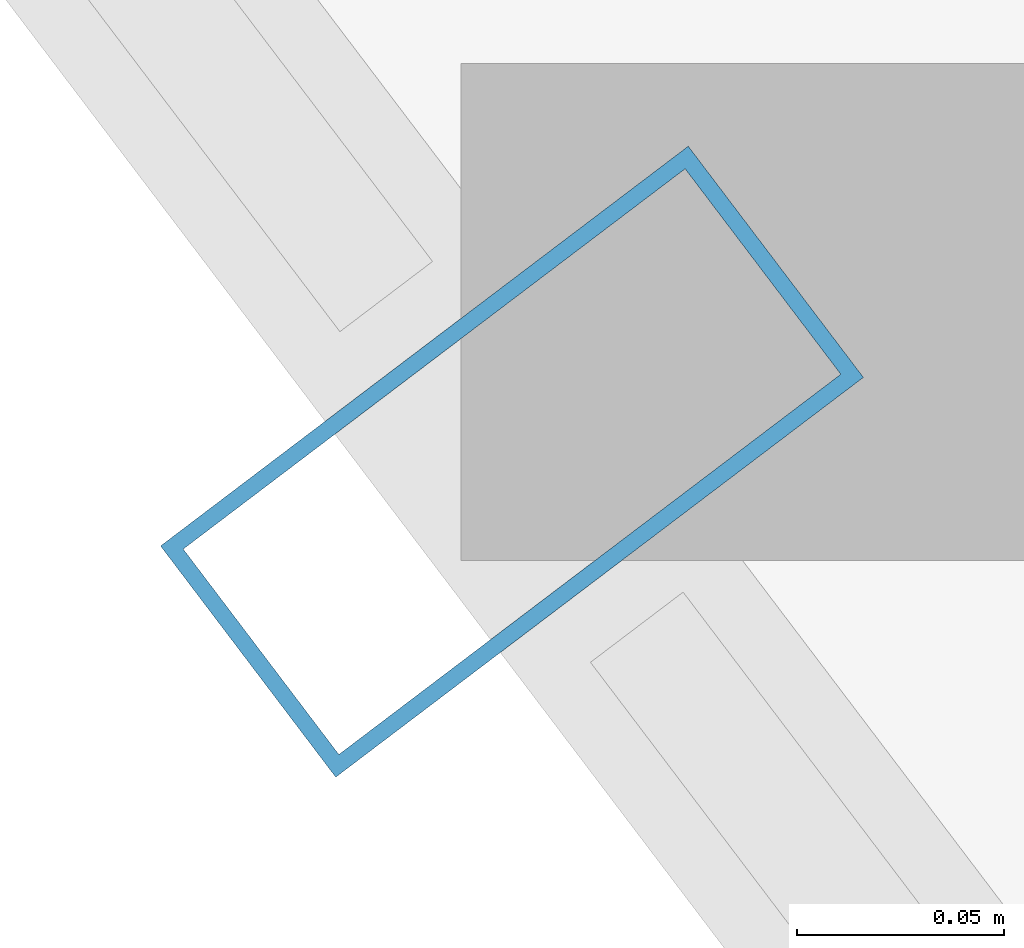
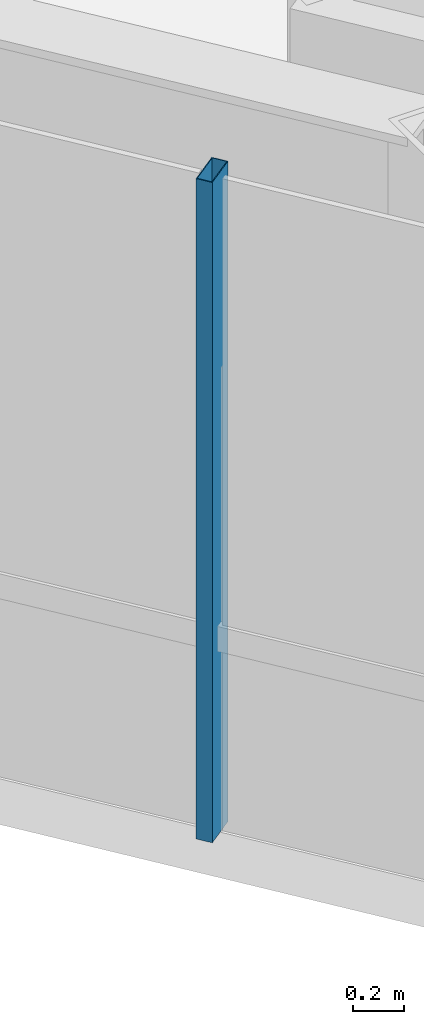
# One storey, part 5 of 28: 1 member, 1 element without a shape of its own.
"""IFC4 building model written with IfcOpenShell, lengths in metres."""

import ifcopenshell
import ifcopenshell.guid

model = None  # the IFC model being written
_history = None  # IfcOwnerHistory: only IFC2X3 demands one
_inside = {}  # id of a spatial element -> (the spatial element, [elements in it])
_under = {}  # id of a project, library or spatial element -> (it, [spatial elements below it])
_declared = {}  # id of a project -> (the project, [libraries it declares])
_typed = {}  # id of a type object -> (the type object, [elements of that type])
_made_of = {}  # id of a material, layer set ... -> (it, [elements and type objects made of it])


def new_model(schema):
    """Start an empty IFC model of exactly this schema.

    Asked for "IFC4X3", IfcOpenShell would pick the latest addendum, in which some entities
    have other attributes; the version numbers below select the first issue.
    IFC2X3 requires an IfcOwnerHistory on every rooted entity: one is made here for all.
    """
    global model, _history
    if schema == "IFC4X3":
        model = ifcopenshell.file(schema_version=(4, 3, 0, 0))
    else:
        model = ifcopenshell.file(schema=schema)
    _inside.clear()
    _under.clear()
    _declared.clear()
    _typed.clear()
    _made_of.clear()
    _history = None
    if model.schema == "IFC2X3":
        org = make("IfcOrganization", Name="unknown")
        user = make(
            "IfcPersonAndOrganization",
            ThePerson=make("IfcPerson", FamilyName="unknown"),
            TheOrganization=org,
        )
        app = make(
            "IfcApplication",
            ApplicationDeveloper=org,
            Version="unknown",
            ApplicationFullName="unknown",
            ApplicationIdentifier="unknown",
        )
        _history = make(
            "IfcOwnerHistory",
            OwningUser=user,
            OwningApplication=app,
            ChangeAction="ADDED",
            CreationDate=0,
        )
    return model


def make(cls, **values):
    """One entity of the class cls with the attributes given. An attribute that is None is left unset."""
    return model.create_entity(
        cls, **{name: value for name, value in values.items() if value is not None}
    )


def rooted(cls, **values):
    """An entity with a GlobalId (a new one), such as an element, a storey or a relation."""
    return make(cls, GlobalId=ifcopenshell.guid.new(), OwnerHistory=_history, **values)


def si_unit(unit_type, name, prefix=None):
    """IfcSIUnit, for example si_unit("LENGTHUNIT", "METRE", prefix="MILLI")."""
    return make("IfcSIUnit", UnitType=unit_type, Prefix=prefix, Name=name)


def assignment(units):
    """IfcUnitAssignment: the units of a project."""
    return None if units is None else make("IfcUnitAssignment", Units=units)


def point(xyz):
    """IfcCartesianPoint."""
    return None if xyz is None else make("IfcCartesianPoint", Coordinates=xyz)


def direction(xyz):
    """IfcDirection."""
    return None if xyz is None else make("IfcDirection", DirectionRatios=xyz)


def frame(location, z_axis=None, x_axis=None):
    """IfcAxis2Placement3D, a coordinate frame: its origin and axes. An axis left out is left unset."""
    return make(
        "IfcAxis2Placement3D",
        Location=point(location),
        Axis=direction(z_axis),
        RefDirection=direction(x_axis),
    )


def frame_2d(location, x_axis=None):
    """IfcAxis2Placement2D, a coordinate frame in the plane: its origin and x axis."""
    return make(
        "IfcAxis2Placement2D", Location=point(location), RefDirection=direction(x_axis)
    )


def origin():
    """The frame at (0, 0, 0) with its axes left unset."""
    return frame((0.0, 0.0, 0.0))


def origin_2d():
    """The frame at (0, 0) in the plane with its x axis left unset."""
    return frame_2d((0.0, 0.0))


def place(relative_to, where):
    """IfcLocalPlacement: puts the frame where relative to a parent placement (None: the world)."""
    return make(
        "IfcLocalPlacement", PlacementRelTo=relative_to, RelativePlacement=where
    )


def context(
    kind, dimensions, precision=None, world=None, true_north=None, identifier=None
):
    """IfcGeometricRepresentationContext, for example the 3D "Model" context."""
    return make(
        "IfcGeometricRepresentationContext",
        ContextIdentifier=identifier,
        ContextType=kind,
        CoordinateSpaceDimension=dimensions,
        Precision=precision,
        WorldCoordinateSystem=world,
        TrueNorth=true_north,
    )


def subcontext(parent, identifier, kind, view, scale=None):
    """IfcGeometricRepresentationSubContext, for example "Body" below "Model"."""
    return make(
        "IfcGeometricRepresentationSubContext",
        ContextIdentifier=identifier,
        ContextType=kind,
        ParentContext=parent,
        TargetScale=scale,
        TargetView=view,
    )


def project(units=None, contexts=None):
    """IfcProject with its units and contexts."""
    return rooted(
        "IfcProject",
        Name="project",
        RepresentationContexts=contexts,
        UnitsInContext=assignment(units),
    )


def spatial(cls, under=None, at=None, **own):
    """A site, building, storey or space (cls), placed at a placement, below another one or the project."""
    s = rooted(cls, ObjectPlacement=at, **own)
    if under is not None:
        _under.setdefault(under.id(), (under, []))[1].append(s)
    return s


def profile(cls, at=None, kind="AREA", **sizes):
    """A parametric profile (cls). Its sizes go by their IFC names, for example OverallWidth=200.0."""
    return make(cls, ProfileType=kind, Position=at, **sizes)


def hollow_rectangle(**sizes):
    """IfcRectangleHollowProfileDef."""
    return profile("IfcRectangleHollowProfileDef", **sizes)


def extrude(swept, where, along, depth):
    """IfcExtrudedAreaSolid: the profile swept, set in the frame where, extruded along a direction by depth."""
    return make(
        "IfcExtrudedAreaSolid",
        SweptArea=swept,
        Position=where,
        ExtrudedDirection=direction(along),
        Depth=depth,
    )


def shape(context_of_items, identifier, shape_type, items):
    """IfcShapeRepresentation: the items that make up one representation, for example the "Body"."""
    return make(
        "IfcShapeRepresentation",
        ContextOfItems=context_of_items,
        RepresentationIdentifier=identifier,
        RepresentationType=shape_type,
        Items=items,
    )


def material(Name=None, Category=None):
    """IfcMaterial."""
    return make("IfcMaterial", Name=Name, Category=Category)


def layer(
    of_material, thickness, ventilated=None, Name=None, Category=None, Priority=None
):
    """IfcMaterialLayer: one layer of a wall or slab, of a material (None: an air gap)."""
    return make(
        "IfcMaterialLayer",
        Material=of_material,
        LayerThickness=thickness,
        IsVentilated=ventilated,
        Name=Name,
        Category=Category,
        Priority=Priority,
    )


def layer_set(layers, Name=None):
    """IfcMaterialLayerSet."""
    return make("IfcMaterialLayerSet", MaterialLayers=layers, LayerSetName=Name)


def material_profile(
    of_material, cross_section, Name=None, Category=None, Priority=None
):
    """IfcMaterialProfile: a cross section and its material."""
    return make(
        "IfcMaterialProfile",
        Name=Name,
        Material=of_material,
        Profile=cross_section,
        Priority=Priority,
        Category=Category,
    )


def profile_set(profiles, Name=None, composite=None):
    """IfcMaterialProfileSet."""
    return make(
        "IfcMaterialProfileSet",
        Name=Name,
        MaterialProfiles=profiles,
        CompositeProfile=composite,
    )


def made_of(thing, what):
    """Note that an element or type object is made of a material, layer set ...; save() writes the relation."""
    if what is not None:
        _made_of.setdefault(what.id(), (what, []))[1].append(thing)
    return thing


def type_object(cls, material=None, **own):
    """A type object (cls), such as IfcWallType, which elements share."""
    return made_of(rooted(cls, **own), material)


def element(
    cls,
    number,
    at=None,
    inside=None,
    cuts=None,
    type_object=None,
    material=None,
    context=None,
    identifier="Body",
    shape_type=None,
    held_by="IfcProductDefinitionShape",
    body=None,
    shapes=None,
    **own,
):
    """One element of the class cls, such as IfcWall. Its Tag is "e" and its number.

    at: its placement. inside: the storey or other place that contains it. cuts: it is an
    opening in that element (IfcRelVoidsElement). A single representation is given by context,
    identifier, shape_type and body (its items); several are given by shapes. held_by: the class
    of the entity that holds the representations. save() writes the other relations.
    """
    e = rooted(cls, Tag="e%d" % number, ObjectPlacement=at, **own)
    if body is not None:
        shapes = [shape(context, identifier, shape_type, body)]
    if shapes is not None:
        e.Representation = make(held_by, Representations=shapes)
    if inside is not None:
        _inside.setdefault(inside.id(), (inside, []))[1].append(e)
    if cuts is not None:
        rooted(
            "IfcRelVoidsElement", RelatingBuildingElement=cuts, RelatedOpeningElement=e
        )
    if type_object is not None:
        _typed.setdefault(type_object.id(), (type_object, []))[1].append(e)
    return made_of(e, material)


def aggregate(whole, parts):
    """IfcRelAggregates: a whole, such as a stair, and the parts it consists of."""
    return rooted("IfcRelAggregates", RelatingObject=whole, RelatedObjects=parts)


def save(model, path):
    """Write the relations noted so far, then the file.

    IfcRelAggregates (storeys below a building ...), IfcRelContainedInSpatialStructure (elements
    in a storey), IfcRelDefinesByType, IfcRelAssociatesMaterial and IfcRelDeclares: one each for
    every whole, place, type object, material and project.
    """
    for whole, parts in _under.values():
        aggregate(whole, parts)
    for where, things in _inside.values():
        rooted(
            "IfcRelContainedInSpatialStructure",
            RelatedElements=things,
            RelatingStructure=where,
        )
    for kind, things in _typed.values():
        rooted("IfcRelDefinesByType", RelatedObjects=things, RelatingType=kind)
    for what, things in _made_of.values():
        rooted("IfcRelAssociatesMaterial", RelatedObjects=things, RelatingMaterial=what)
    for by, libraries in _declared.values():
        rooted("IfcRelDeclares", RelatingContext=by, RelatedDefinitions=libraries)
    model.write(path)


model = new_model("IFC4")

# Units and contexts
model_context = context("Model", 3, precision=1e-05, world=origin(), true_north=direction((0.0, 1.0)))
body_context = subcontext(model_context, "Body", "Model", "MODEL_VIEW")
ifc_project = project(units=[si_unit("LENGTHUNIT", "METRE"), si_unit("AREAUNIT", "SQUARE_METRE"), si_unit("VOLUMEUNIT", "CUBIC_METRE"), si_unit("PLANEANGLEUNIT", "RADIAN"), si_unit("MASSUNIT", "GRAM", prefix="KILO")], contexts=[model_context])

# Site, building, storey
site_placement = place(None, origin())
site = spatial("IfcSite", under=ifc_project, at=site_placement, CompositionType="ELEMENT")
building_placement = place(site_placement, origin())
building = spatial("IfcBuilding", under=site, at=building_placement, Name="Zarrinselat Tower", CompositionType="ELEMENT")
storey_placement = place(building_placement, frame((0.0, 0.0, 218.9599609375)))
storey = spatial("IfcBuildingStorey", under=building, at=storey_placement, Name="L54", CompositionType="ELEMENT", Elevation=218.9599609375)

# Curtain wall, member
ifc_material_1 = material(Name="Extruded Aluminium Alloy EN AW-6063 T6", Category="aluminium")
ifc_layer = layer(ifc_material_1, 0.169921875)
ifc_layer_set = layer_set([ifc_layer], Name="Extruded Aluminium Alloy EN AW-6063 T6")
curtain_wall_type = type_object("IfcCurtainWallType", Name="CWS-RES", PredefinedType="NOTDEFINED", material=ifc_layer_set)
curtain_wall_placement = place(storey_placement, origin())
curtain_wall = element("IfcCurtainWall", 1, at=curtain_wall_placement, inside=storey, type_object=curtain_wall_type, Name="L54 Unitised Curtain Wall CW-L54-E03", PredefinedType="NOTDEFINED")
ifc_material_2 = material(Name="Extruded Aluminium Alloy EN AW-6063 T6", Category="aluminium")
ifc_material_profile = material_profile(ifc_material_2, hollow_rectangle(XDim=0.070068359375, YDim=0.159912109375, WallThickness=0.00390625, at=origin_2d()), Name="RHS 160x70x4")
ifc_profile_set = profile_set([ifc_material_profile], Name="Extruded Aluminium Alloy EN AW-6063 T6")
member_type = type_object("IfcMemberType", Name="MEM-CW-MUL2", PredefinedType="MULLION", material=ifc_profile_set)
member_placement = place(storey_placement, frame((23.201171875, 30.11376953125, 0.0), z_axis=(0.0, 0.0, 1.0), x_axis=(0.603859787908, -0.797090557307, 0.0)))
member = element("IfcMember", 2, at=member_placement, type_object=member_type, Name="CW-L54-E03 Mullion 4", PredefinedType="MULLION", context=body_context, shape_type="SweptSolid", body=[
    extrude(hollow_rectangle(XDim=0.070068359375, YDim=0.159912109375, WallThickness=0.00390625, at=origin_2d()), origin(), (0.0, 0.0, 1.0), 3.179931640625),
])
aggregate(curtain_wall, [member])

save(model, "model.ifc")
